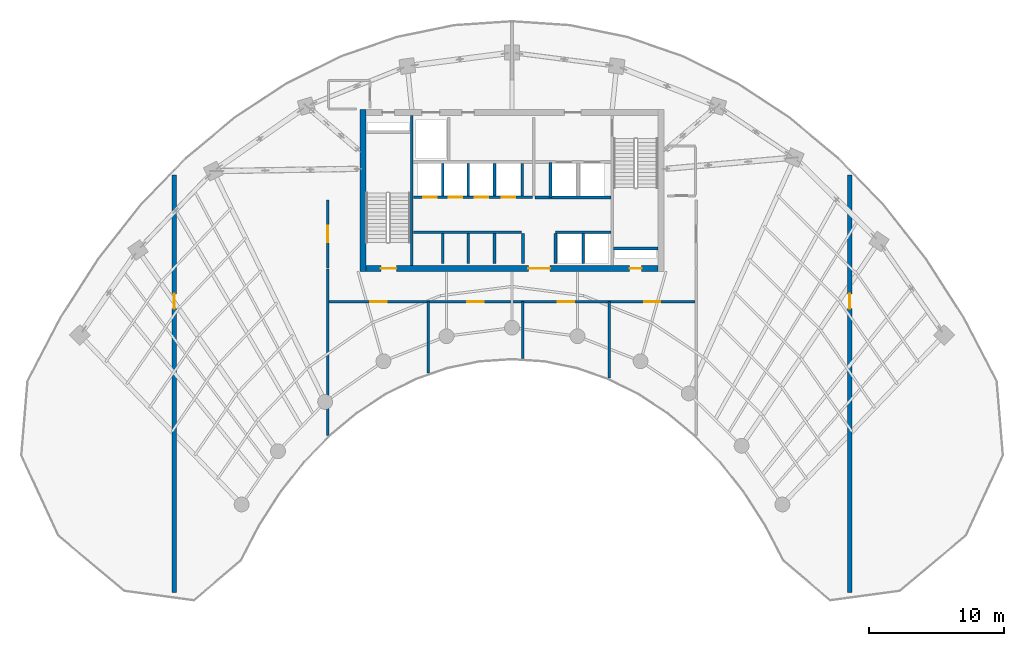
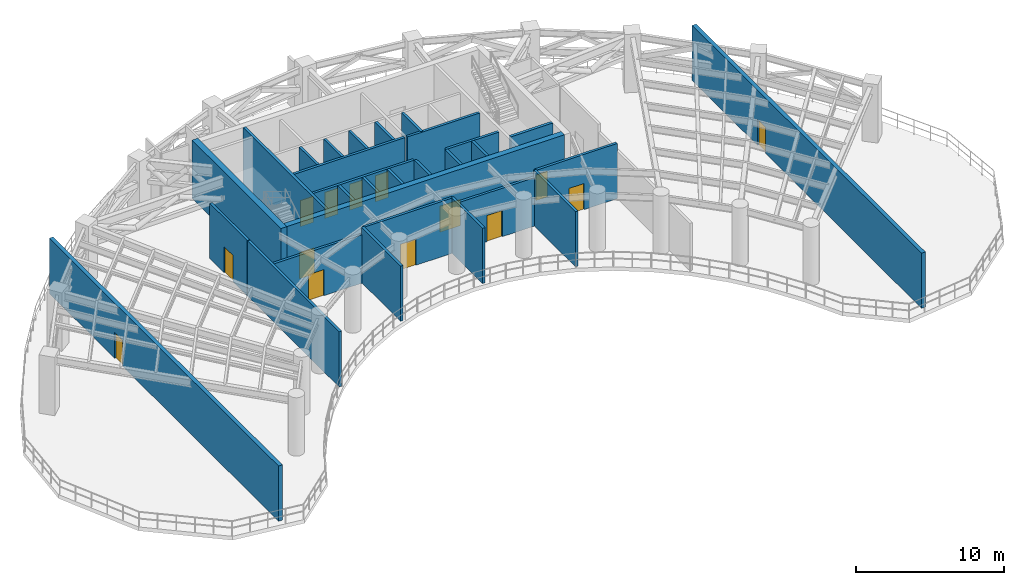
# One storey, part 8 of 19: 30 walls, 14 doors, 14 openings.
"""IFC4 building model written with IfcOpenShell, lengths in metres."""

from ifc_helpers import new_model, si_unit, direction, frame, frame_2d, origin, place, context, subcontext, project, spatial, rectangle, extrude, source, transform, mapped, material, layer, layer_set, type_object, type_shapes, element, fill, save


model = new_model("IFC4")

# Units and contexts
model_context = context("Model", 3, precision=1e-05, world=origin(), true_north=direction((0.0, 1.0)))
body_context = subcontext(model_context, "Body", "Model", "MODEL_VIEW")
ifc_project = project(units=[si_unit("LENGTHUNIT", "METRE"), si_unit("AREAUNIT", "SQUARE_METRE"), si_unit("VOLUMEUNIT", "CUBIC_METRE"), si_unit("PLANEANGLEUNIT", "RADIAN"), si_unit("MASSUNIT", "GRAM", prefix="KILO")], contexts=[model_context])

# Site, building, storey
site_placement = place(None, origin())
site = spatial("IfcSite", under=ifc_project, at=site_placement, CompositionType="ELEMENT")
building_placement = place(site_placement, origin())
building = spatial("IfcBuilding", under=site, at=building_placement, Name="Breltana Convention Tower", CompositionType="ELEMENT")
storey_placement = place(building_placement, frame((0.0, 0.0, 194.39990234375)))
storey = spatial("IfcBuildingStorey", under=building, at=storey_placement, Name="L47", CompositionType="ELEMENT", Elevation=194.39990234375)

# Walls
ifc_material_1 = material(Name="Concrete C50/60", Category="concrete")
ifc_layer_1 = layer(ifc_material_1, 0.39990234375, Name="Concrete C50/60")
ifc_layer_set_1 = layer_set([ifc_layer_1], Name="Concrete C50/60")
wall_type_1 = type_object("IfcWallType", Name="SW-CORE-400", PredefinedType="SHEAR", material=ifc_layer_set_1)
shared_shape_1 = source(origin(), body_context, "Body", "SweptSolid", [
    extrude(rectangle(XDim=3.27001953125, YDim=0.219970703125, at=frame_2d((1.635009765625, 0.0))), origin(), (0.0, 0.0, 1.0), 4.800048828125),
])
wall_1_placement = place(storey_placement, frame((55.530029296875, 61.889892578125, 0.0), z_axis=(0.0, 0.0, 1.0), x_axis=(1.0, 0.0, 0.0)))
element("IfcWall", 1, at=wall_1_placement, inside=storey, type_object=wall_type_1, Name="L47 ST-2 Stairwell South Bearing Wall", PredefinedType="SHEAR", context=body_context, shape_type="MappedRepresentation", body=[
    mapped(shared_shape_1, transform((0.0, 0.0, 0.0), scale=1.0)),
])
ifc_material_2 = material(Name="Concrete C60/75", Category="concrete")
ifc_layer_2 = layer(ifc_material_2, 0.449951171875, Name="Concrete C60/75")
ifc_layer_set_2 = layer_set([ifc_layer_2], Name="Concrete C60/75")
wall_type_2 = type_object("IfcWallType", Name="SW-CORE-450", PredefinedType="SHEAR", material=ifc_layer_set_2)
shared_shape_2 = source(origin(), body_context, "Body", "SweptSolid", [
    extrude(rectangle(XDim=12.0, YDim=0.449951171875, at=frame_2d((6.0, 0.0))), origin(), (0.0, 0.0, 1.0), 4.800048828125),
])
wall_2_placement = place(storey_placement, frame((36.97509765625, 60.199951171875, 0.0), z_axis=(0.0, 0.0, 1.0), x_axis=(0.0, 1.0, 0.0)))
element("IfcWall", 2, at=wall_2_placement, inside=storey, type_object=wall_type_2, Name="L47 West Core Shear Wall", PredefinedType="SHEAR", context=body_context, shape_type="MappedRepresentation", body=[
    mapped(shared_shape_2, transform((0.0, 0.0, 0.0), scale=1.0)),
])

# Wall, openings, doors
shared_shape_3 = source(origin(), body_context, "Body", "SweptSolid", [
    extrude(rectangle(XDim=21.60009765625, YDim=0.449951171875, at=frame_2d((10.800048828125, 0.0))), origin(), (0.0, 0.0, 1.0), 4.800048828125),
])
wall_3_placement = place(storey_placement, frame((37.199951171875, 60.425048828125, 0.0), z_axis=(0.0, 0.0, 1.0), x_axis=(1.0, 0.0, 0.0)))
wall_3 = element("IfcWall", 3, at=wall_3_placement, inside=storey, type_object=wall_type_2, Name="L47 South Core Shear Wall", PredefinedType="SHEAR", context=body_context, shape_type="MappedRepresentation", body=[
    mapped(shared_shape_3, transform((0.0, 0.0, 0.0), scale=1.0)),
])
opening_1_placement = place(wall_3_placement, frame((1.10009765625, 0.0, 0.0)))
opening_1 = element("IfcOpeningElement", 4, at=opening_1_placement, cuts=wall_3, Name="Opening D-11", PredefinedType="OPENING", context=body_context, shape_type="SweptSolid", body=[
    extrude(rectangle(XDim=1.14990234375, YDim=2.14990234375, at=frame_2d((0.574951171875, 1.074951171875))), frame((0.0, 0.23486328125, 0.0), z_axis=(0.0, -1.0, 0.0), x_axis=(1.0, 0.0, 0.0)), (0.0, 0.0, 1.0), 0.469970703125),
])
opening_2_placement = place(wall_3_placement, frame((19.5, 0.0, 0.0)))
opening_2 = element("IfcOpeningElement", 5, at=opening_2_placement, cuts=wall_3, Name="Opening D-18", PredefinedType="OPENING", context=body_context, shape_type="SweptSolid", body=[
    extrude(rectangle(XDim=0.89990234375, YDim=2.10009765625, at=frame_2d((0.449951171875, 1.050048828125))), frame((0.0, 0.23486328125, 0.0), z_axis=(0.0, -1.0, 0.0), x_axis=(1.0, 0.0, 0.0)), (0.0, 0.0, 1.0), 0.469970703125),
])
opening_3_placement = place(wall_3_placement, frame((12.02001953125, 0.0, 0.0)))
opening_3 = element("IfcOpeningElement", 6, at=opening_3_placement, cuts=wall_3, Name="Opening D-02", PredefinedType="OPENING", context=body_context, shape_type="SweptSolid", body=[
    extrude(rectangle(XDim=1.60009765625, YDim=2.14990234375, at=frame_2d((0.800048828125, 1.074951171875))), frame((0.0, 0.23486328125, 0.0), z_axis=(0.0, -1.0, 0.0), x_axis=(1.0, 0.0, 0.0)), (0.0, 0.0, 1.0), 0.469970703125),
])
ifc_material_3 = material(Name="Steel Stair Exit Door", Category="steel")
door_type_1 = type_object("IfcDoorType", Name="DR-FD120-1150", OperationType="NOTDEFINED", PredefinedType="DOOR", material=ifc_material_3)
shared_shape_4 = source(origin(), body_context, "Body", "SweptSolid", [
    extrude(rectangle(XDim=1.14990234375, YDim=2.14990234375, at=frame_2d((0.574951171875, 1.074951171875))), frame((0.0, 0.02490234375, 0.0), z_axis=(0.0, -1.0, 0.0), x_axis=(1.0, 0.0, 0.0)), (0.0, 0.0, 1.0), 0.050048828125),
])
type_shapes(door_type_1, [shared_shape_4])
door_1_placement = place(opening_1_placement, origin())
door_1 = element("IfcDoor", 7, at=door_1_placement, inside=storey, type_object=door_type_1, Name="L47 interior door D-L47-ST1", OperationType="SINGLE_SWING_LEFT", OverallHeight=2.14990234375, OverallWidth=1.14990234375, PredefinedType="DOOR", context=body_context, shape_type="MappedRepresentation", body=[
    mapped(shared_shape_4, transform((0.0, 0.0, 0.0), scale=1.0)),
])
fill(opening_1, door_1)
ifc_material_4 = material(Name="Steel Riser Fire Door", Category="steel")
door_type_2 = type_object("IfcDoorType", Name="DR-FD60-900", OperationType="NOTDEFINED", PredefinedType="DOOR", material=ifc_material_4)
shared_shape_5 = source(origin(), body_context, "Body", "SweptSolid", [
    extrude(rectangle(XDim=0.89990234375, YDim=2.10009765625, at=frame_2d((0.449951171875, 1.050048828125))), frame((0.0, 0.02490234375, 0.0), z_axis=(0.0, -1.0, 0.0), x_axis=(1.0, 0.0, 0.0)), (0.0, 0.0, 1.0), 0.050048828125),
])
type_shapes(door_type_2, [shared_shape_5])
door_2_placement = place(opening_2_placement, origin())
door_2 = element("IfcDoor", 8, at=door_2_placement, inside=storey, type_object=door_type_2, Name="L47 Core Riser Access Door D-L47-RS2", OperationType="SINGLE_SWING_RIGHT", OverallHeight=2.10009765625, OverallWidth=0.89990234375, PredefinedType="DOOR", context=body_context, shape_type="MappedRepresentation", body=[
    mapped(shared_shape_5, transform((0.0, 0.0, 0.0), scale=1.0)),
])
fill(opening_2, door_2)
ifc_material_5 = material(Name="Steel Glazed Smoke-Control Door", Category="steel")
door_type_3 = type_object("IfcDoorType", Name="DR-DBL-FD90-1600", OperationType="DOUBLE_DOOR_SINGLE_SWING", PredefinedType="DOOR", material=ifc_material_5)
shared_shape_6 = source(origin(), body_context, "Body", "SweptSolid", [
    extrude(rectangle(XDim=1.60009765625, YDim=2.14990234375, at=frame_2d((0.800048828125, 1.074951171875))), frame((0.0, 0.02490234375, 0.0), z_axis=(0.0, -1.0, 0.0), x_axis=(1.0, 0.0, 0.0)), (0.0, 0.0, 1.0), 0.050048828125),
])
type_shapes(door_type_3, [shared_shape_6])
door_3_placement = place(opening_3_placement, origin())
door_3 = element("IfcDoor", 9, at=door_3_placement, inside=storey, type_object=door_type_3, Name="L47 interior door D-L47-LLB-S", OperationType="DOUBLE_DOOR_SINGLE_SWING", OverallHeight=2.14990234375, OverallWidth=1.60009765625, PredefinedType="DOOR", context=body_context, shape_type="MappedRepresentation", body=[
    mapped(shared_shape_6, transform((0.0, 0.0, 0.0), scale=1.0)),
])
fill(opening_3, door_3)

# Wall
shared_shape_7 = source(origin(), body_context, "Body", "SweptSolid", [
    extrude(rectangle(XDim=11.10009765625, YDim=0.219970703125, at=frame_2d((5.550048828125, 0.0))), origin(), (0.0, 0.0, 1.0), 4.800048828125),
])
wall_4_placement = place(storey_placement, frame((40.580078125, 60.64990234375, 0.0), z_axis=(0.0, 0.0, 1.0), x_axis=(0.0, 1.0, 0.0)))
element("IfcWall", 10, at=wall_4_placement, inside=storey, type_object=wall_type_1, Name="L47 Core West Stair Spine Wall", PredefinedType="SHEAR", context=body_context, shape_type="MappedRepresentation", body=[
    mapped(shared_shape_7, transform((0.0, 0.0, 0.0), scale=1.0)),
])

# Wall, opening, door
ifc_material_6 = material(Name="Limestone Buff Insulated Wall", Category="masonry")
ifc_layer_3 = layer(ifc_material_6, 0.300048828125, Name="Limestone Buff Insulated Wall")
ifc_layer_set_3 = layer_set([ifc_layer_3], Name="Limestone Buff Insulated Wall")
wall_type_3 = type_object("IfcWallType", Name="WL-EXT-CRN-300", PredefinedType="SOLIDWALL", material=ifc_layer_set_3)
shared_shape_8 = source(origin(), body_context, "Body", "SweptSolid", [
    extrude(rectangle(XDim=30.900146484375, YDim=0.300048828125, at=frame_2d((15.4501953125, 0.0))), origin(), (0.0, 0.0, 1.0), 4.5400390625),
])
wall_5_placement = place(storey_placement, frame((23.0, 36.449951171875, 0.0), z_axis=(0.0, 0.0, 1.0), x_axis=(0.0, 1.0, 0.0)))
wall_5 = element("IfcWall", 11, at=wall_5_placement, inside=storey, type_object=wall_type_3, Name="L47 Venturi slot enclosure wall W", PredefinedType="SOLIDWALL", context=body_context, shape_type="MappedRepresentation", body=[
    mapped(shared_shape_8, transform((0.0, 0.0, 0.0), scale=1.0)),
])
opening_4_placement = place(wall_5_placement, frame((21.0, 0.0, 0.0)))
opening_4 = element("IfcOpeningElement", 12, at=opening_4_placement, cuts=wall_5, Name="Opening ED-05", PredefinedType="OPENING", context=body_context, shape_type="SweptSolid", body=[
    extrude(rectangle(XDim=1.10009765625, YDim=2.14990234375, at=frame_2d((0.550048828125, 1.074951171875))), frame((0.0, 0.16015625, 0.0), z_axis=(0.0, -1.0, 0.0), x_axis=(1.0, 0.0, 0.0)), (0.0, 0.0, 1.0), 0.320068359375),
])
ifc_material_7 = material(Name="Steel Weatherproof Maintenance Door", Category="steel")
door_type_4 = type_object("IfcDoorType", Name="DR-VNT-1100", OperationType="NOTDEFINED", PredefinedType="DOOR", material=ifc_material_7)
shared_shape_9 = source(origin(), body_context, "Body", "SweptSolid", [
    extrude(rectangle(XDim=1.10009765625, YDim=2.14990234375, at=frame_2d((0.550048828125, 1.074951171875))), frame((0.0, 0.02490234375, 0.0), z_axis=(0.0, -1.0, 0.0), x_axis=(1.0, 0.0, 0.0)), (0.0, 0.0, 1.0), 0.050048828125),
])
type_shapes(door_type_4, [shared_shape_9])
door_4_placement = place(opening_4_placement, origin())
door_4 = element("IfcDoor", 13, at=door_4_placement, inside=storey, type_object=door_type_4, Name="L47 Venturi deck maintenance door W", OperationType="SINGLE_SWING_LEFT", OverallHeight=2.14990234375, OverallWidth=1.10009765625, PredefinedType="DOOR", context=body_context, shape_type="MappedRepresentation", body=[
    mapped(shared_shape_9, transform((0.0, 0.0, 0.0), scale=1.0)),
])
fill(opening_4, door_4)

wall_6_placement = place(storey_placement, frame((73.0, 36.449951171875, 0.0), z_axis=(0.0, 0.0, 1.0), x_axis=(0.0, 1.0, 0.0)))
wall_6 = element("IfcWall", 14, at=wall_6_placement, inside=storey, type_object=wall_type_3, Name="L47 Venturi slot enclosure wall E", PredefinedType="SOLIDWALL", context=body_context, shape_type="MappedRepresentation", body=[
    mapped(shared_shape_8, transform((0.0, 0.0, 0.0), scale=1.0)),
])
opening_5_placement = place(wall_6_placement, frame((21.0, 0.0, 0.0)))
opening_5 = element("IfcOpeningElement", 15, at=opening_5_placement, cuts=wall_6, Name="Opening ED-05", PredefinedType="OPENING", context=body_context, shape_type="SweptSolid", body=[
    extrude(rectangle(XDim=1.10009765625, YDim=2.14990234375, at=frame_2d((0.550048828125, 1.074951171875))), frame((0.0, 0.16015625, 0.0), z_axis=(0.0, -1.0, 0.0), x_axis=(1.0, 0.0, 0.0)), (0.0, 0.0, 1.0), 0.320068359375),
])
door_5_placement = place(opening_5_placement, origin())
door_5 = element("IfcDoor", 16, at=door_5_placement, inside=storey, type_object=door_type_4, Name="L47 Venturi deck maintenance door E", OperationType="SINGLE_SWING_RIGHT", OverallHeight=2.14990234375, OverallWidth=1.10009765625, PredefinedType="DOOR", context=body_context, shape_type="MappedRepresentation", body=[
    mapped(shared_shape_9, transform((0.0, 0.0, 0.0), scale=1.0)),
])
fill(opening_5, door_5)

# Walls
ifc_material_8 = material(Name="Autoclaved Aerated Concrete Block", Category="concrete")
ifc_layer_4 = layer(ifc_material_8, 0.199951171875, Name="Autoclaved Aerated Concrete Block")
ifc_layer_set_4 = layer_set([ifc_layer_4], Name="Autoclaved Aerated Concrete Block")
wall_type_4 = type_object("IfcWallType", Name="WL-SHAFT-200", PredefinedType="SOLIDWALL", material=ifc_layer_set_4)
shared_shape_10 = source(origin(), body_context, "Body", "SweptSolid", [
    extrude(rectangle(XDim=2.239990234375, YDim=0.199951171875, at=frame_2d((1.1201171875, 0.0))), origin(), (0.0, 0.0, 1.0), 4.5400390625),
])
for number, where, z_axis, x_axis, name in (
    (17, (48.820068359375, 60.780029296875, 0.0), (0.0, 0.0, 1.0), (0.0, 1.0, 0.0), "L47 interior partition W-L47-PORT-W"),
    (18, (51.219970703125, 60.780029296875, 0.0), (0.0, 0.0, 1.0), (0.0, 1.0, 0.0), "L47 interior partition W-L47-PORT-E"),
):
    element("IfcWall", number, at=place(storey_placement, frame(where, z_axis=z_axis, x_axis=x_axis)), inside=storey, type_object=wall_type_4, Name=name, PredefinedType="SOLIDWALL", context=body_context, shape_type="MappedRepresentation", body=[
        mapped(shared_shape_10, transform((0.0, 0.0, 0.0), scale=1.0)),
    ])
shared_shape_11 = source(origin(), body_context, "Body", "SweptSolid", [
    extrude(rectangle(XDim=5.6201171875, YDim=0.199951171875, at=frame_2d((2.81005859375, 0.0))), origin(), (0.0, 0.0, 1.0), 4.5400390625),
])
wall_7_placement = place(storey_placement, frame((49.699951171875, 65.679931640625, 0.0), z_axis=(0.0, 0.0, 1.0), x_axis=(1.0, 0.0, 0.0)))
element("IfcWall", 19, at=wall_7_placement, inside=storey, type_object=wall_type_4, Name="L47 interior partition W-L47-FL-S", PredefinedType="SOLIDWALL", context=body_context, shape_type="MappedRepresentation", body=[
    mapped(shared_shape_11, transform((0.0, 0.0, 0.0), scale=1.0)),
])
shared_shape_12 = source(origin(), body_context, "Body", "SweptSolid", [
    extrude(rectangle(XDim=2.580078125, YDim=0.199951171875, at=frame_2d((1.2900390625, 0.0))), origin(), (0.0, 0.0, 1.0), 4.5400390625),
])
wall_8_placement = place(storey_placement, frame((50.85009765625, 65.679931640625, 0.0), z_axis=(0.0, 0.0, 1.0), x_axis=(0.0, 1.0, 0.0)))
element("IfcWall", 20, at=wall_8_placement, inside=storey, type_object=wall_type_4, Name="L47 interior partition W-L47-FL-W", PredefinedType="SOLIDWALL", context=body_context, shape_type="MappedRepresentation", body=[
    mapped(shared_shape_12, transform((0.0, 0.0, 0.0), scale=1.0)),
])
shared_shape_13 = source(origin(), body_context, "Body", "SweptSolid", [
    extrude(rectangle(XDim=2.39990234375, YDim=0.199951171875, at=frame_2d((1.199951171875, 0.0))), origin(), (0.0, 0.0, 1.0), 4.5400390625),
])
for number, where, z_axis, x_axis, name in (
    (21, (48.75, 65.800048828125, 0.0), (0.0, 0.0, 1.0), (0.0, 1.0, 0.0), "L47 interior partition W-L47-SH-M-END"),
    (22, (42.8701171875, 65.800048828125, 0.0), (0.0, 0.0, 1.0), (0.0, 1.0, 0.0), "L47 interior partition W-L47-SH-M-DIV1"),
    (23, (44.77001953125, 65.800048828125, 0.0), (0.0, 0.0, 1.0), (0.0, 1.0, 0.0), "L47 interior partition W-L47-SH-M-DIV2"),
    (24, (46.699951171875, 65.800048828125, 0.0), (0.0, 0.0, 1.0), (0.0, 1.0, 0.0), "L47 interior partition W-L47-SH-M-DIV3"),
):
    element("IfcWall", number, at=place(storey_placement, frame(where, z_axis=z_axis, x_axis=x_axis)), inside=storey, type_object=wall_type_4, Name=name, PredefinedType="SOLIDWALL", context=body_context, shape_type="MappedRepresentation", body=[
        mapped(shared_shape_13, transform((0.0, 0.0, 0.0), scale=1.0)),
    ])

# Wall, openings, doors
shared_shape_14 = source(origin(), body_context, "Body", "SweptSolid", [
    extrude(rectangle(XDim=8.800048828125, YDim=0.199951171875, at=frame_2d((4.39990234375, 0.0))), origin(), (0.0, 0.0, 1.0), 4.5400390625),
])
wall_9_placement = place(storey_placement, frame((40.699951171875, 65.699951171875, 0.0), z_axis=(0.0, 0.0, 1.0), x_axis=(1.0, 0.0, 0.0)))
wall_9 = element("IfcWall", 25, at=wall_9_placement, inside=storey, type_object=wall_type_4, Name="L47 interior partition W-L47-SH-M-FRONT", PredefinedType="SOLIDWALL", context=body_context, shape_type="MappedRepresentation", body=[
    mapped(shared_shape_14, transform((0.0, 0.0, 0.0), scale=1.0)),
])
opening_6_placement = place(wall_9_placement, frame((0.719970703125, 0.0, 0.0)))
opening_6 = element("IfcOpeningElement", 26, at=opening_6_placement, cuts=wall_9, Name="Opening LD-04", PredefinedType="OPENING", context=body_context, shape_type="SweptSolid", body=[
    extrude(rectangle(XDim=1.0, YDim=2.14990234375, at=frame_2d((0.5, 1.074951171875))), frame((0.0, 0.10986328125, 0.0), z_axis=(0.0, -1.0, 0.0), x_axis=(1.0, 0.0, 0.0)), (0.0, 0.0, 1.0), 0.219970703125),
])
opening_7_placement = place(wall_9_placement, frame((2.6201171875, 0.0, 0.0)))
opening_7 = element("IfcOpeningElement", 27, at=opening_7_placement, cuts=wall_9, Name="Opening LD-04", PredefinedType="OPENING", context=body_context, shape_type="SweptSolid", body=[
    extrude(rectangle(XDim=1.0, YDim=2.14990234375, at=frame_2d((0.5, 1.074951171875))), frame((0.0, 0.10986328125, 0.0), z_axis=(0.0, -1.0, 0.0), x_axis=(1.0, 0.0, 0.0)), (0.0, 0.0, 1.0), 0.219970703125),
])
opening_8_placement = place(wall_9_placement, frame((4.550048828125, 0.0, 0.0)))
opening_8 = element("IfcOpeningElement", 28, at=opening_8_placement, cuts=wall_9, Name="Opening LD-04", PredefinedType="OPENING", context=body_context, shape_type="SweptSolid", body=[
    extrude(rectangle(XDim=1.0, YDim=2.14990234375, at=frame_2d((0.5, 1.074951171875))), frame((0.0, 0.10986328125, 0.0), z_axis=(0.0, -1.0, 0.0), x_axis=(1.0, 0.0, 0.0)), (0.0, 0.0, 1.0), 0.219970703125),
])
opening_9_placement = place(wall_9_placement, frame((6.550048828125, 0.0, 0.0)))
opening_9 = element("IfcOpeningElement", 29, at=opening_9_placement, cuts=wall_9, Name="Opening LD-04", PredefinedType="OPENING", context=body_context, shape_type="SweptSolid", body=[
    extrude(rectangle(XDim=1.0, YDim=2.14990234375, at=frame_2d((0.5, 1.074951171875))), frame((0.0, 0.10986328125, 0.0), z_axis=(0.0, -1.0, 0.0), x_axis=(1.0, 0.0, 0.0)), (0.0, 0.0, 1.0), 0.219970703125),
])
ifc_material_9 = material(Name="Stainless Steel Brushed", Category="steel")
door_type_5 = type_object("IfcDoorType", Name="DR-LD-PAX-1000", OperationType="DOUBLE_DOOR_SLIDING", PredefinedType="DOOR", material=ifc_material_9)
shared_shape_15 = source(origin(), body_context, "Body", "SweptSolid", [
    extrude(rectangle(XDim=1.0, YDim=2.14990234375, at=frame_2d((0.5, 1.074951171875))), frame((0.0, 0.02490234375, 0.0), z_axis=(0.0, -1.0, 0.0), x_axis=(1.0, 0.0, 0.0)), (0.0, 0.0, 1.0), 0.050048828125),
])
type_shapes(door_type_5, [shared_shape_15])
door_6_placement = place(opening_6_placement, origin())
door_6 = element("IfcDoor", 30, at=door_6_placement, inside=storey, type_object=door_type_5, Name="L47 Lift Landing Door D-L47-LD-M1", OperationType="DOUBLE_DOOR_SLIDING", OverallHeight=2.14990234375, OverallWidth=1.0, PredefinedType="DOOR", context=body_context, shape_type="MappedRepresentation", body=[
    mapped(shared_shape_15, transform((0.0, 0.0, 0.0), scale=1.0)),
])
fill(opening_6, door_6)
door_7_placement = place(opening_7_placement, origin())
door_7 = element("IfcDoor", 31, at=door_7_placement, inside=storey, type_object=door_type_5, Name="L47 Lift Landing Door D-L47-LD-M2", OperationType="DOUBLE_DOOR_SLIDING", OverallHeight=2.14990234375, OverallWidth=1.0, PredefinedType="DOOR", context=body_context, shape_type="MappedRepresentation", body=[
    mapped(shared_shape_15, transform((0.0, 0.0, 0.0), scale=1.0)),
])
fill(opening_7, door_7)
door_8_placement = place(opening_8_placement, origin())
door_8 = element("IfcDoor", 32, at=door_8_placement, inside=storey, type_object=door_type_5, Name="L47 Lift Landing Door D-L47-LD-M3", OperationType="DOUBLE_DOOR_SLIDING", OverallHeight=2.14990234375, OverallWidth=1.0, PredefinedType="DOOR", context=body_context, shape_type="MappedRepresentation", body=[
    mapped(shared_shape_15, transform((0.0, 0.0, 0.0), scale=1.0)),
])
fill(opening_8, door_8)
door_9_placement = place(opening_9_placement, origin())
door_9 = element("IfcDoor", 33, at=door_9_placement, inside=storey, type_object=door_type_5, Name="L47 Lift Landing Door D-L47-LD-M4", OperationType="DOUBLE_DOOR_SLIDING", OverallHeight=2.14990234375, OverallWidth=1.0, PredefinedType="DOOR", context=body_context, shape_type="MappedRepresentation", body=[
    mapped(shared_shape_15, transform((0.0, 0.0, 0.0), scale=1.0)),
])
fill(opening_9, door_9)

# Walls
shared_shape_16 = source(origin(), body_context, "Body", "SweptSolid", [
    extrude(rectangle(XDim=8.02001953125, YDim=0.199951171875, at=frame_2d((4.010009765625, 0.0))), origin(), (0.0, 0.0, 1.0), 4.5400390625),
])
wall_10_placement = place(storey_placement, frame((40.699951171875, 63.10009765625, 0.0), z_axis=(0.0, 0.0, 1.0), x_axis=(1.0, 0.0, 0.0)))
element("IfcWall", 34, at=wall_10_placement, inside=storey, type_object=wall_type_4, Name="L47 interior partition W-L47-SH-S-FRONT", PredefinedType="SOLIDWALL", context=body_context, shape_type="MappedRepresentation", body=[
    mapped(shared_shape_16, transform((0.0, 0.0, 0.0), scale=1.0)),
])
shared_shape_17 = source(origin(), body_context, "Body", "SweptSolid", [
    extrude(rectangle(XDim=4.10009765625, YDim=0.199951171875, at=frame_2d((2.050048828125, 0.0))), origin(), (0.0, 0.0, 1.0), 4.5400390625),
])
wall_11_placement = place(storey_placement, frame((51.219970703125, 63.10009765625, 0.0), z_axis=(0.0, 0.0, 1.0), x_axis=(1.0, 0.0, 0.0)))
element("IfcWall", 35, at=wall_11_placement, inside=storey, type_object=wall_type_4, Name="L47 interior partition W-L47-SH-X-FRONT", PredefinedType="SOLIDWALL", context=body_context, shape_type="MappedRepresentation", body=[
    mapped(shared_shape_17, transform((0.0, 0.0, 0.0), scale=1.0)),
])
shared_shape_18 = source(origin(), body_context, "Body", "SweptSolid", [
    extrude(rectangle(XDim=2.199951171875, YDim=0.199951171875, at=frame_2d((1.10009765625, 0.0))), origin(), (0.0, 0.0, 1.0), 4.5400390625),
])
for number, where, z_axis, x_axis, name in (
    (36, (42.8701171875, 60.800048828125, 0.0), (0.0, 0.0, 1.0), (0.0, 1.0, 0.0), "L47 interior partition W-L47-SH-S-DIV1"),
    (37, (44.77001953125, 60.800048828125, 0.0), (0.0, 0.0, 1.0), (0.0, 1.0, 0.0), "L47 interior partition W-L47-SH-S-DIV2"),
    (38, (46.699951171875, 60.800048828125, 0.0), (0.0, 0.0, 1.0), (0.0, 1.0, 0.0), "L47 interior partition W-L47-SH-S-DIV3"),
    (39, (53.280029296875, 60.800048828125, 0.0), (0.0, 0.0, 1.0), (0.0, 1.0, 0.0), "L47 interior partition W-L47-SH-X-DIV"),
):
    element("IfcWall", number, at=place(storey_placement, frame(where, z_axis=z_axis, x_axis=x_axis)), inside=storey, type_object=wall_type_4, Name=name, PredefinedType="SOLIDWALL", context=body_context, shape_type="MappedRepresentation", body=[
        mapped(shared_shape_18, transform((0.0, 0.0, 0.0), scale=1.0)),
    ])

# Wall, opening, door
shared_shape_19 = source(origin(), body_context, "Body", "SweptSolid", [
    extrude(rectangle(XDim=7.35009765625, YDim=0.199951171875, at=frame_2d((3.675048828125, 0.0))), origin(), (0.0, 0.0, 1.0), 3.985107421875),
])
wall_12_placement = place(storey_placement, frame((34.449951171875, 57.9599609375, 0.0), z_axis=(0.0, 0.0, 1.0), x_axis=(1.0, 0.0, 0.0)))
wall_12 = element("IfcWall", 40, at=wall_12_placement, inside=storey, type_object=wall_type_4, Name="L47 interior partition W-L47-TPLS-N1", PredefinedType="SOLIDWALL", context=body_context, shape_type="MappedRepresentation", body=[
    mapped(shared_shape_19, transform((0.0, 0.0, 0.0), scale=1.0)),
])
opening_10_placement = place(wall_12_placement, frame((3.074951171875, 0.0, 0.0)))
opening_10 = element("IfcOpeningElement", 41, at=opening_10_placement, cuts=wall_12, Name="Opening D-09", PredefinedType="OPENING", context=body_context, shape_type="SweptSolid", body=[
    extrude(rectangle(XDim=1.199951171875, YDim=2.14990234375, at=frame_2d((0.60009765625, 1.074951171875))), frame((0.0, 0.10986328125, 0.0), z_axis=(0.0, -1.0, 0.0), x_axis=(1.0, 0.0, 0.0)), (0.0, 0.0, 1.0), 0.219970703125),
])
ifc_material_10 = material(Name="Steel Fire Lobby Door", Category="steel")
door_type_6 = type_object("IfcDoorType", Name="DR-FD120-1200", OperationType="NOTDEFINED", PredefinedType="DOOR", material=ifc_material_10)
shared_shape_20 = source(origin(), body_context, "Body", "SweptSolid", [
    extrude(rectangle(XDim=1.199951171875, YDim=2.14990234375, at=frame_2d((0.60009765625, 1.074951171875))), frame((0.0, 0.02490234375, 0.0), z_axis=(0.0, -1.0, 0.0), x_axis=(1.0, 0.0, 0.0)), (0.0, 0.0, 1.0), 0.050048828125),
])
type_shapes(door_type_6, [shared_shape_20])
door_10_placement = place(opening_10_placement, origin())
door_10 = element("IfcDoor", 42, at=door_10_placement, inside=storey, type_object=door_type_6, Name="L47 interior door D-L47-PL-HX", OperationType="SINGLE_SWING_RIGHT", OverallHeight=2.14990234375, OverallWidth=1.199951171875, PredefinedType="DOOR", context=body_context, shape_type="MappedRepresentation", body=[
    mapped(shared_shape_20, transform((0.0, 0.0, 0.0), scale=1.0)),
])
fill(opening_10, door_10)

# Wall
shared_shape_21 = source(origin(), body_context, "Body", "SweptSolid", [
    extrude(rectangle(XDim=5.284912109375, YDim=0.199951171875, at=frame_2d((2.642578125, 0.0))), origin(), (0.0, 0.0, 1.0), 4.5400390625),
])
wall_13_placement = place(storey_placement, frame((41.800048828125, 52.675048828125, 0.0), z_axis=(0.0, 0.0, 1.0), x_axis=(0.0, 1.0, 0.0)))
element("IfcWall", 43, at=wall_13_placement, inside=storey, type_object=wall_type_4, Name="L47 interior partition W-L47-TPLS-M1", PredefinedType="SOLIDWALL", context=body_context, shape_type="MappedRepresentation", body=[
    mapped(shared_shape_21, transform((0.0, 0.0, 0.0), scale=1.0)),
])

# Wall, opening, door
shared_shape_22 = source(origin(), body_context, "Body", "SweptSolid", [
    extrude(rectangle(XDim=7.0, YDim=0.199951171875, at=frame_2d((3.5, 0.0))), origin(), (0.0, 0.0, 1.0), 4.5400390625),
])
wall_14_placement = place(storey_placement, frame((41.800048828125, 57.9599609375, 0.0), z_axis=(0.0, 0.0, 1.0), x_axis=(1.0, 0.0, 0.0)))
wall_14 = element("IfcWall", 44, at=wall_14_placement, inside=storey, type_object=wall_type_4, Name="L47 interior partition W-L47-TPLS-N2", PredefinedType="SOLIDWALL", context=body_context, shape_type="MappedRepresentation", body=[
    mapped(shared_shape_22, transform((0.0, 0.0, 0.0), scale=1.0)),
])
opening_11_placement = place(wall_14_placement, frame((2.89990234375, 0.0, 0.0)))
opening_11 = element("IfcOpeningElement", 45, at=opening_11_placement, cuts=wall_14, Name="Opening D-09", PredefinedType="OPENING", context=body_context, shape_type="SweptSolid", body=[
    extrude(rectangle(XDim=1.199951171875, YDim=2.14990234375, at=frame_2d((0.60009765625, 1.074951171875))), frame((0.0, 0.10986328125, 0.0), z_axis=(0.0, -1.0, 0.0), x_axis=(1.0, 0.0, 0.0)), (0.0, 0.0, 1.0), 0.219970703125),
])
door_11_placement = place(opening_11_placement, origin())
door_11 = element("IfcDoor", 46, at=door_11_placement, inside=storey, type_object=door_type_6, Name="L47 interior door D-L47-PL-DMP", OperationType="SINGLE_SWING_LEFT", OverallHeight=2.14990234375, OverallWidth=1.199951171875, PredefinedType="DOOR", context=body_context, shape_type="MappedRepresentation", body=[
    mapped(shared_shape_20, transform((0.0, 0.0, 0.0), scale=1.0)),
])
fill(opening_11, door_11)

# Wall
shared_shape_23 = source(origin(), body_context, "Body", "SweptSolid", [
    extrude(rectangle(XDim=4.199951171875, YDim=0.199951171875, at=frame_2d((2.10009765625, 0.0))), origin(), (0.0, 0.0, 1.0), 4.5400390625),
])
wall_15_placement = place(storey_placement, frame((48.800048828125, 53.760009765625, 0.0), z_axis=(0.0, 0.0, 1.0), x_axis=(0.0, 1.0, 0.0)))
element("IfcWall", 47, at=wall_15_placement, inside=storey, type_object=wall_type_4, Name="L47 interior partition W-L47-TPLS-M2", PredefinedType="SOLIDWALL", context=body_context, shape_type="MappedRepresentation", body=[
    mapped(shared_shape_23, transform((0.0, 0.0, 0.0), scale=1.0)),
])

# Wall, opening, door
shared_shape_24 = source(origin(), body_context, "Body", "SweptSolid", [
    extrude(rectangle(XDim=6.39990234375, YDim=0.199951171875, at=frame_2d((3.199951171875, 0.0))), origin(), (0.0, 0.0, 1.0), 3.985107421875),
])
wall_16_placement = place(storey_placement, frame((48.800048828125, 57.9599609375, 0.0), z_axis=(0.0, 0.0, 1.0), x_axis=(1.0, 0.0, 0.0)))
wall_16 = element("IfcWall", 48, at=wall_16_placement, inside=storey, type_object=wall_type_4, Name="L47 interior partition W-L47-TPLS-N3", PredefinedType="SOLIDWALL", context=body_context, shape_type="MappedRepresentation", body=[
    mapped(shared_shape_24, transform((0.0, 0.0, 0.0), scale=1.0)),
])
opening_12_placement = place(wall_16_placement, frame((2.60009765625, 0.0, 0.0)))
opening_12 = element("IfcOpeningElement", 49, at=opening_12_placement, cuts=wall_16, Name="Opening D-09", PredefinedType="OPENING", context=body_context, shape_type="SweptSolid", body=[
    extrude(rectangle(XDim=1.199951171875, YDim=2.14990234375, at=frame_2d((0.60009765625, 1.074951171875))), frame((0.0, 0.10986328125, 0.0), z_axis=(0.0, -1.0, 0.0), x_axis=(1.0, 0.0, 0.0)), (0.0, 0.0, 1.0), 0.219970703125),
])
door_12_placement = place(opening_12_placement, origin())
door_12 = element("IfcDoor", 50, at=door_12_placement, inside=storey, type_object=door_type_6, Name="L47 interior door D-L47-PL-FAN", OperationType="SINGLE_SWING_RIGHT", OverallHeight=2.14990234375, OverallWidth=1.199951171875, PredefinedType="DOOR", context=body_context, shape_type="MappedRepresentation", body=[
    mapped(shared_shape_20, transform((0.0, 0.0, 0.0), scale=1.0)),
])
fill(opening_12, door_12)

# Wall
shared_shape_25 = source(origin(), body_context, "Body", "SweptSolid", [
    extrude(rectangle(XDim=5.6416015625, YDim=0.199951171875, at=frame_2d((2.82080078125, 0.0))), origin(), (0.0, 0.0, 1.0), 4.5400390625),
])
wall_17_placement = place(storey_placement, frame((55.199951171875, 52.318359375, 0.0), z_axis=(0.0, 0.0, 1.0), x_axis=(0.0, 1.0, 0.0)))
element("IfcWall", 51, at=wall_17_placement, inside=storey, type_object=wall_type_4, Name="L47 interior partition W-L47-TPLS-M3", PredefinedType="SOLIDWALL", context=body_context, shape_type="MappedRepresentation", body=[
    mapped(shared_shape_25, transform((0.0, 0.0, 0.0), scale=1.0)),
])

# Wall, opening, door
shared_shape_26 = source(origin(), body_context, "Body", "SweptSolid", [
    extrude(rectangle(XDim=6.35009765625, YDim=0.199951171875, at=frame_2d((3.175048828125, 0.0))), origin(), (0.0, 0.0, 1.0), 4.5400390625),
])
wall_18_placement = place(storey_placement, frame((55.199951171875, 57.9599609375, 0.0), z_axis=(0.0, 0.0, 1.0), x_axis=(1.0, 0.0, 0.0)))
wall_18 = element("IfcWall", 52, at=wall_18_placement, inside=storey, type_object=wall_type_4, Name="L47 interior partition W-L47-TPLS-N4", PredefinedType="SOLIDWALL", context=body_context, shape_type="MappedRepresentation", body=[
    mapped(shared_shape_26, transform((0.0, 0.0, 0.0), scale=1.0)),
])
opening_13_placement = place(wall_18_placement, frame((2.574951171875, 0.0, 0.0)))
opening_13 = element("IfcOpeningElement", 53, at=opening_13_placement, cuts=wall_18, Name="Opening D-09", PredefinedType="OPENING", context=body_context, shape_type="SweptSolid", body=[
    extrude(rectangle(XDim=1.199951171875, YDim=2.14990234375, at=frame_2d((0.60009765625, 1.074951171875))), frame((0.0, 0.10986328125, 0.0), z_axis=(0.0, -1.0, 0.0), x_axis=(1.0, 0.0, 0.0)), (0.0, 0.0, 1.0), 0.219970703125),
])
door_13_placement = place(opening_13_placement, origin())
door_13 = element("IfcDoor", 54, at=door_13_placement, inside=storey, type_object=door_type_6, Name="L47 interior door D-L47-PL-EL", OperationType="SINGLE_SWING_LEFT", OverallHeight=2.14990234375, OverallWidth=1.199951171875, PredefinedType="DOOR", context=body_context, shape_type="MappedRepresentation", body=[
    mapped(shared_shape_20, transform((0.0, 0.0, 0.0), scale=1.0)),
])
fill(opening_13, door_13)

# Wall
shared_shape_27 = source(origin(), body_context, "Body", "SweptSolid", [
    extrude(rectangle(XDim=12.335693359375, YDim=0.199951171875, at=frame_2d((6.16796875, 0.0))), origin(), (0.0, 0.0, 1.0), 4.5400390625),
])
wall_19_placement = place(storey_placement, frame((34.360107421875, 48.064208984375, 0.0), z_axis=(0.0, 0.0, 1.0), x_axis=(0.0, 1.0, 0.0)))
element("IfcWall", 55, at=wall_19_placement, inside=storey, type_object=wall_type_4, Name="L47 interior partition W-L47-REFW-S", PredefinedType="SOLIDWALL", context=body_context, shape_type="MappedRepresentation", body=[
    mapped(shared_shape_27, transform((0.0, 0.0, 0.0), scale=1.0)),
])

# Wall, opening, door
shared_shape_28 = source(origin(), body_context, "Body", "SweptSolid", [
    extrude(rectangle(XDim=5.050048828125, YDim=0.199951171875, at=frame_2d((2.52490234375, 0.0))), origin(), (0.0, 0.0, 1.0), 4.5400390625),
])
wall_20_placement = place(storey_placement, frame((34.360107421875, 60.449951171875, 0.0), z_axis=(0.0, 0.0, 1.0), x_axis=(0.0, 1.0, 0.0)))
wall_20 = element("IfcWall", 56, at=wall_20_placement, inside=storey, type_object=wall_type_4, Name="L47 interior partition W-L47-REFW-D", PredefinedType="SOLIDWALL", context=body_context, shape_type="MappedRepresentation", body=[
    mapped(shared_shape_28, transform((0.0, 0.0, 0.0), scale=1.0)),
])
opening_14_placement = place(wall_20_placement, frame((1.925048828125, 0.0, 0.0)))
opening_14 = element("IfcOpeningElement", 57, at=opening_14_placement, cuts=wall_20, Name="Opening D-09", PredefinedType="OPENING", context=body_context, shape_type="SweptSolid", body=[
    extrude(rectangle(XDim=1.199951171875, YDim=2.14990234375, at=frame_2d((0.60009765625, 1.074951171875))), frame((0.0, 0.10986328125, 0.0), z_axis=(0.0, -1.0, 0.0), x_axis=(1.0, 0.0, 0.0)), (0.0, 0.0, 1.0), 0.219970703125),
])
door_14_placement = place(opening_14_placement, origin())
door_14 = element("IfcDoor", 58, at=door_14_placement, inside=storey, type_object=door_type_6, Name="L47 interior door D-L47-REFW", OperationType="SINGLE_SWING_RIGHT", OverallHeight=2.14990234375, OverallWidth=1.199951171875, PredefinedType="DOOR", context=body_context, shape_type="MappedRepresentation", body=[
    mapped(shared_shape_20, transform((0.0, 0.0, 0.0), scale=1.0)),
])
fill(opening_14, door_14)

save(model, "model.ifc")
